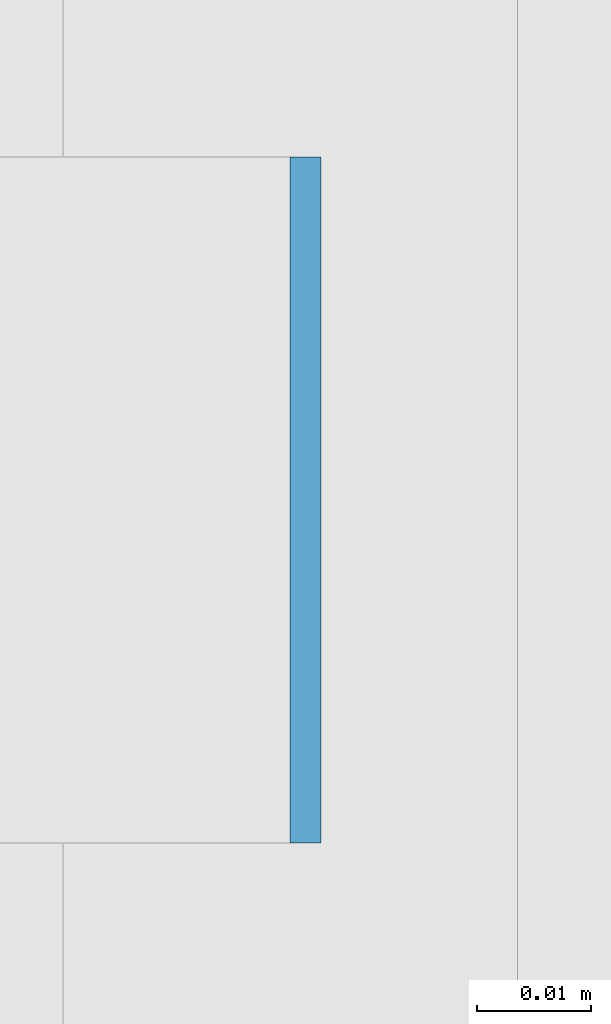
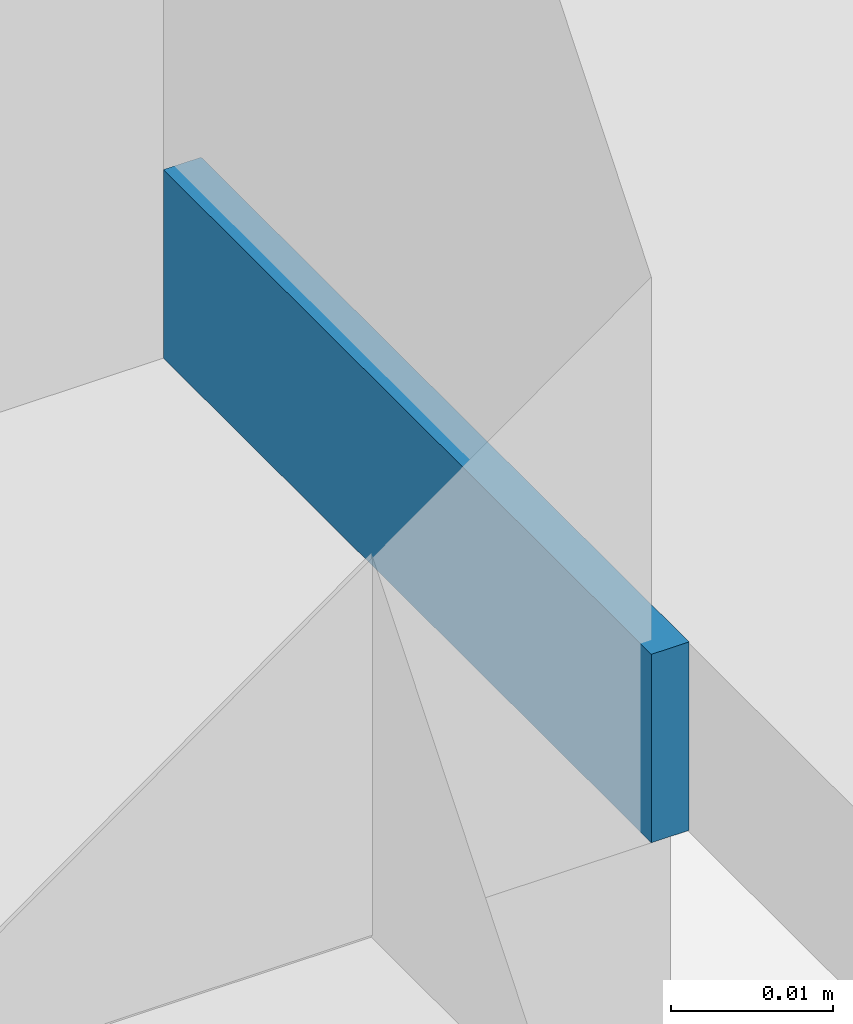
# One storey, part 410 of 646: 1 discrete accessory.
"""IFC4 building model written with IfcOpenShell, lengths in metres."""

from ifc_helpers import new_model, si_unit, direction, frame, origin, origin_2d, place, context, subcontext, project, spatial, rectangle, extrude, material, type_object, element, save


model = new_model("IFC4")

# Units and contexts
model_context = context("Model", 3, precision=1e-05, world=origin(), true_north=direction((0.0, 1.0)))
body_context = subcontext(model_context, "Body", "Model", "MODEL_VIEW")
ifc_project = project(units=[si_unit("LENGTHUNIT", "METRE"), si_unit("AREAUNIT", "SQUARE_METRE"), si_unit("VOLUMEUNIT", "CUBIC_METRE"), si_unit("PLANEANGLEUNIT", "RADIAN"), si_unit("MASSUNIT", "GRAM", prefix="KILO")], contexts=[model_context])

# Site, building, storey
site_placement = place(None, origin())
site = spatial("IfcSite", under=ifc_project, at=site_placement, CompositionType="ELEMENT")
building_placement = place(site_placement, origin())
building = spatial("IfcBuilding", under=site, at=building_placement, Name="Silverbay Arena", CompositionType="ELEMENT")
storey_placement = place(building_placement, frame((0.0, 0.0, 33.5)))
storey = spatial("IfcBuildingStorey", under=building, at=storey_placement, Name="L05", CompositionType="ELEMENT", Elevation=33.5)

# Discrete accessory
ifc_material = material(Name="Steel S355", Category="steel")
discrete_accessory_type = type_object("IfcDiscreteAccessoryType", Name="Steel bracket plate", PredefinedType="BRACKET", material=ifc_material)
discrete_accessory_placement = place(storey_placement, frame((53.871337890625, 124.71435546875, 4.0), z_axis=(0.0, 0.0, 1.0), x_axis=(1.0, 0.0, 0.0)))
element("IfcDiscreteAccessory", 1, at=discrete_accessory_placement, inside=storey, type_object=discrete_accessory_type, Name="Curtain wall packing plate", PredefinedType="BRACKET", context=body_context, shape_type="SweptSolid", body=[
    extrude(rectangle(XDim=0.002685546875, YDim=0.06005859375, at=origin_2d()), origin(), (0.0, 0.0, 1.0), 0.01416015625),
])

save(model, "model.ifc")
